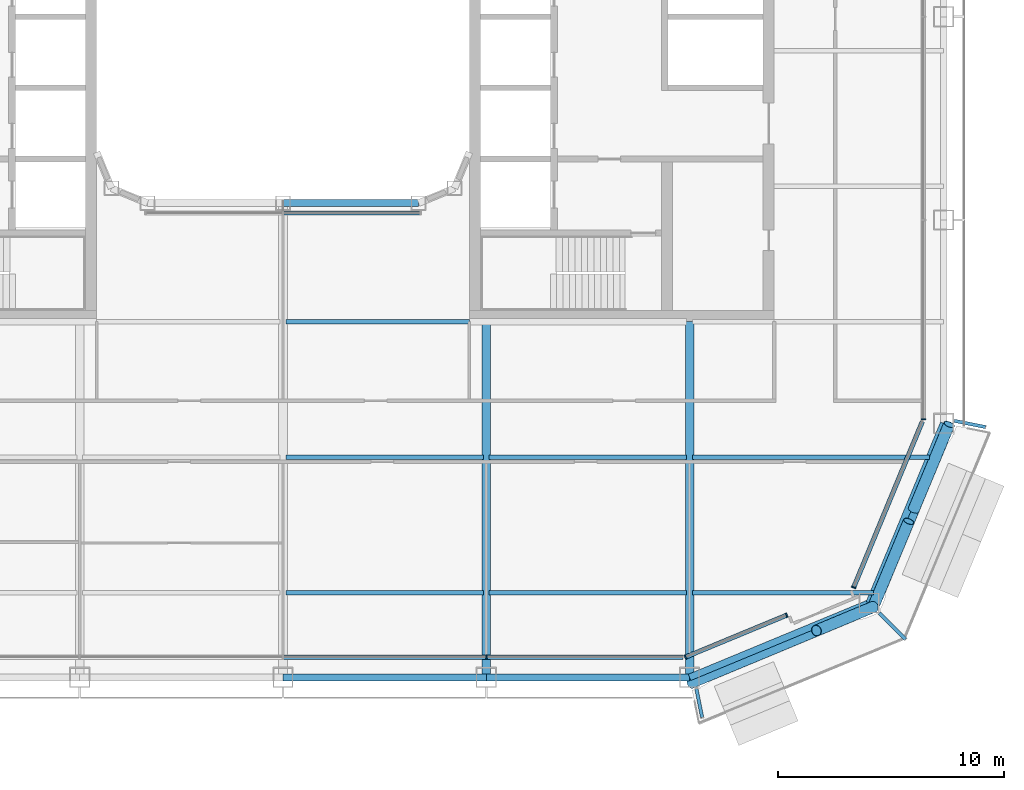
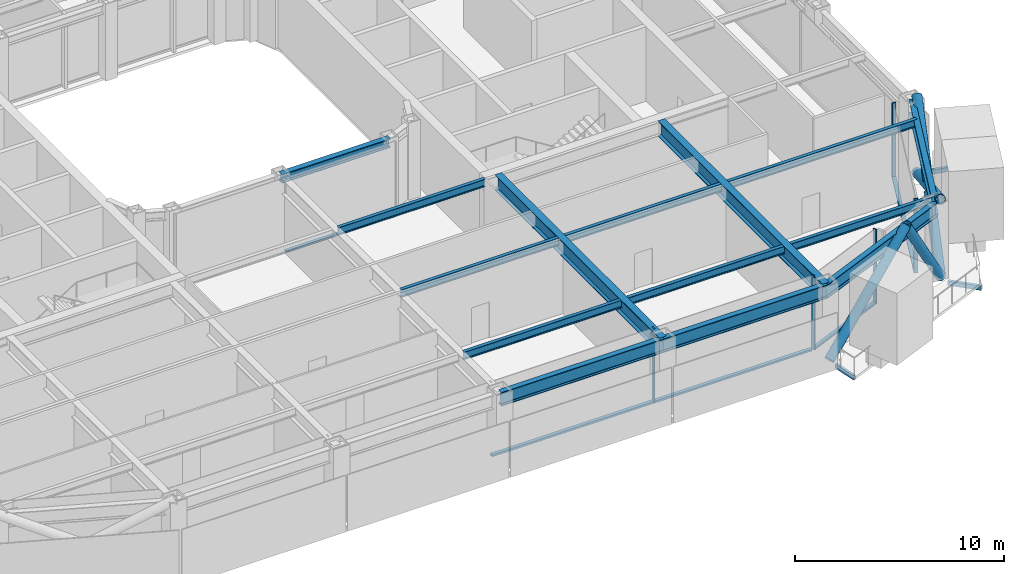
# One storey, part 4 of 23: 17 beams, 15 members, 5 elements without a shape of their own.
"""IFC4 building model written with IfcOpenShell, lengths in metres."""

from ifc_helpers import new_model, si_unit, direction, frame, origin, origin_2d, place, context, subcontext, project, spatial, rectangle, hollow_rectangle, hollow_circle, i_section, extrude, material, layer, layer_set, material_profile, profile_set, type_object, element, aggregate, save


model = new_model("IFC4")

# Units and contexts
model_context = context("Model", 3, precision=1e-05, world=origin(), true_north=direction((0.0, 1.0)))
body_context = subcontext(model_context, "Body", "Model", "MODEL_VIEW")
ifc_project = project(units=[si_unit("LENGTHUNIT", "METRE"), si_unit("AREAUNIT", "SQUARE_METRE"), si_unit("VOLUMEUNIT", "CUBIC_METRE"), si_unit("PLANEANGLEUNIT", "RADIAN"), si_unit("MASSUNIT", "GRAM", prefix="KILO")], contexts=[model_context])

# Site, building, storey
site_placement = place(None, origin())
site = spatial("IfcSite", under=ifc_project, at=site_placement, CompositionType="ELEMENT")
building_placement = place(site_placement, origin())
building = spatial("IfcBuilding", under=site, at=building_placement, Name="Siwar Civic Tower", CompositionType="ELEMENT")
storey_placement = place(building_placement, frame((0.0, 0.0, 145.199951171875)))
storey = spatial("IfcBuildingStorey", under=building, at=storey_placement, Name="L31", CompositionType="ELEMENT", Elevation=145.199951171875)

# Beams
ifc_material_1 = material(Name="Steel S355", Category="steel")
ifc_material_profile_1 = material_profile(ifc_material_1, hollow_rectangle(XDim=0.14990234375, YDim=0.25, WallThickness=0.010009765625, at=origin_2d()), Name="RHS250x150x10")
ifc_profile_set_1 = profile_set([ifc_material_profile_1], Name="Steel S355")
beam_type_1 = type_object("IfcBeamType", Name="ENV-BALCONY ARM", PredefinedType="BEAM", material=ifc_profile_set_1)
beam_1_placement = place(storey_placement, frame((18.30029296875, -29.73486328125, -0.27490234375), z_axis=(0.195189223115, -0.980765602568, 0.0), x_axis=(0.980765602568, 0.195189223115, 0.0)))
element("IfcBeam", 1, at=beam_1_placement, inside=storey, type_object=beam_type_1, Name="Balcony cantilever beam SE 1", PredefinedType="BEAM", context=body_context, shape_type="SweptSolid", body=[
    extrude(hollow_rectangle(XDim=0.14990234375, YDim=0.25, WallThickness=0.010009765625, at=origin_2d()), origin(), (0.0, 0.0, 1.0), 1.317138671875),
])
beam_2_placement = place(storey_placement, frame((26.39453125, -26.39453125, -0.27490234375), z_axis=(0.707106781187, -0.707106781187, 0.0), x_axis=(0.707106781187, 0.707106781187, 0.0)))
element("IfcBeam", 2, at=beam_2_placement, inside=storey, type_object=beam_type_1, Name="Balcony cantilever beam SE 2", PredefinedType="BEAM", context=body_context, shape_type="SweptSolid", body=[
    extrude(hollow_rectangle(XDim=0.14990234375, YDim=0.25, WallThickness=0.010009765625, at=origin_2d()), origin(), (0.0, 0.0, 1.0), 1.6513671875),
])
beam_3_placement = place(storey_placement, frame((29.72509765625, -17.890625, -0.27490234375), z_axis=(0.980780459814, -0.195114555191, 0.0), x_axis=(0.195114555191, 0.980780459814, 0.0)))
element("IfcBeam", 3, at=beam_3_placement, inside=storey, type_object=beam_type_1, Name="Balcony cantilever beam SE 3", PredefinedType="BEAM", context=body_context, shape_type="SweptSolid", body=[
    extrude(hollow_rectangle(XDim=0.14990234375, YDim=0.25, WallThickness=0.010009765625, at=origin_2d()), origin(), (0.0, 0.0, 1.0), 1.406494140625),
])

# Curtain wall, member
ifc_material_2 = material(Name="Aluminium and glass", Category="aluminium")
ifc_layer_1 = layer(ifc_material_2, 0.199951171875)
ifc_layer_set_1 = layer_set([ifc_layer_1], Name="Aluminium and glass")
curtain_wall_type_1 = type_object("IfcCurtainWallType", Name="ENV-CW-B", PredefinedType="NOTDEFINED", material=ifc_layer_set_1)
curtain_wall_1_placement = place(storey_placement, origin())
curtain_wall_1 = element("IfcCurtainWall", 4, at=curtain_wall_1_placement, inside=storey, type_object=curtain_wall_type_1, Name="Curtain wall B S", PredefinedType="NOTDEFINED")
ifc_material_3 = material(Name="Aluminium 6063-T6", Category="aluminium")
ifc_material_profile_2 = material_profile(ifc_material_3, rectangle(XDim=0.199951171875, YDim=0.06494140625, at=origin_2d()), Name="AL 200x65")
ifc_profile_set_2 = profile_set([ifc_material_profile_2], Name="Aluminium 6063-T6")
member_type_1 = type_object("IfcMemberType", Name="ENV-MULLION-B", PredefinedType="MULLION", material=ifc_profile_set_2)
member_1_placement = place(storey_placement, frame((9.0, -28.35009765625, 0.0), z_axis=(0.0, 0.0, 1.0), x_axis=(0.0, 1.0, 0.0)))
member_1 = element("IfcMember", 5, at=member_1_placement, type_object=member_type_1, Name="Mullion B S 4", PredefinedType="MULLION", context=body_context, shape_type="SweptSolid", body=[
    extrude(rectangle(XDim=0.199951171875, YDim=0.06494140625, at=origin_2d()), origin(), (0.0, 0.0, 1.0), 4.35009765625),
])

# Curtain wall, members
ifc_material_4 = material(Name="Aluminium clad insulated panel", Category="aluminium")
ifc_layer_2 = layer(ifc_material_4, 0.199951171875)
ifc_layer_set_2 = layer_set([ifc_layer_2], Name="Aluminium clad insulated panel")
curtain_wall_type_2 = type_object("IfcCurtainWallType", Name="ENV-CW-BX", PredefinedType="NOTDEFINED", material=ifc_layer_set_2)
curtain_wall_2_placement = place(storey_placement, origin())
curtain_wall_2 = element("IfcCurtainWall", 6, at=curtain_wall_2_placement, inside=storey, type_object=curtain_wall_type_2, Name="Curtain wall B SE1", PredefinedType="NOTDEFINED")
member_2_placement = place(storey_placement, frame((17.821044921875, -28.35009765625, 0.0), z_axis=(0.0, 0.0, 1.0), x_axis=(-0.382683432365, 0.923879532511, 0.0)))
member_2 = element("IfcMember", 7, at=member_2_placement, type_object=member_type_1, Name="Mullion B SE1 1", PredefinedType="MULLION", context=body_context, shape_type="SweptSolid", body=[
    extrude(rectangle(XDim=0.199951171875, YDim=0.06494140625, at=origin_2d()), origin(), (0.0, 0.0, 1.0), 4.35009765625),
])
member_3_placement = place(storey_placement, frame((22.299072265625, -26.4951171875, 0.0), z_axis=(0.0, 0.0, 1.0), x_axis=(-0.382683432365, 0.923879532511, 0.0)))
member_3 = element("IfcMember", 8, at=member_3_placement, type_object=member_type_1, Name="Mullion B SE1 2", PredefinedType="MULLION", context=body_context, shape_type="SweptSolid", body=[
    extrude(rectangle(XDim=0.199951171875, YDim=0.06494140625, at=origin_2d()), origin(), (0.0, 0.0, 1.0), 4.35009765625),
])

# Curtain wall, member
curtain_wall_3_placement = place(storey_placement, origin())
curtain_wall_3 = element("IfcCurtainWall", 9, at=curtain_wall_3_placement, inside=storey, type_object=curtain_wall_type_2, Name="Curtain wall B SE2", PredefinedType="NOTDEFINED")
member_4_placement = place(storey_placement, frame((25.26611328125, -25.26611328125, 0.0), z_axis=(0.0, 0.0, 1.0), x_axis=(-0.923879532511, 0.382683432365, 0.0)))
member_4 = element("IfcMember", 10, at=member_4_placement, type_object=member_type_1, Name="Mullion B SE2 1", PredefinedType="MULLION", context=body_context, shape_type="SweptSolid", body=[
    extrude(rectangle(XDim=0.199951171875, YDim=0.06494140625, at=origin_2d()), origin(), (0.0, 0.0, 1.0), 4.35009765625),
])

curtain_wall_4_placement = place(storey_placement, origin())
curtain_wall_4 = element("IfcCurtainWall", 11, at=curtain_wall_4_placement, inside=storey, type_object=curtain_wall_type_1, Name="Curtain wall B E", PredefinedType="NOTDEFINED")
member_5_placement = place(storey_placement, frame((28.35009765625, -17.821044921875, 0.0), z_axis=(0.0, 0.0, 1.0), x_axis=(-1.0, 0.0, 0.0)))
member_5 = element("IfcMember", 12, at=member_5_placement, type_object=member_type_1, Name="Mullion B E 1", PredefinedType="MULLION", context=body_context, shape_type="SweptSolid", body=[
    extrude(rectangle(XDim=0.199951171875, YDim=0.06494140625, at=origin_2d()), origin(), (0.0, 0.0, 1.0), 4.35009765625),
])
aggregate(curtain_wall_4, [member_5])

# Member
ifc_material_5 = material(Name="Aluminium 6063-T6", Category="aluminium")
ifc_material_profile_3 = material_profile(ifc_material_5, rectangle(XDim=0.199951171875, YDim=0.110107421875, at=origin_2d()), Name="AL 200x110")
ifc_profile_set_3 = profile_set([ifc_material_profile_3], Name="Aluminium 6063-T6")
member_type_2 = type_object("IfcMemberType", Name="ENV-TRANSOM-B", PredefinedType="USERDEFINED", material=ifc_profile_set_3)
member_6_placement = place(storey_placement, frame((0.032470703125, -28.35009765625, 0.054931640625), z_axis=(1.0, 0.0, 0.0), x_axis=(0.0, 1.0, 0.0)))
member_6 = element("IfcMember", 13, at=member_6_placement, type_object=member_type_2, Name="Transom B S 3", ObjectType="TRANSOM", PredefinedType="USERDEFINED", context=body_context, shape_type="SweptSolid", body=[
    extrude(rectangle(XDim=0.199951171875, YDim=0.110107421875, at=origin_2d()), origin(), (0.0, 0.0, 1.0), 8.93505859375),
])

member_7_placement = place(storey_placement, frame((9.032470703125, -28.35009765625, 0.054931640625), z_axis=(1.0, 0.0, 0.0), x_axis=(0.0, 1.0, 0.0)))
member_7 = element("IfcMember", 14, at=member_7_placement, type_object=member_type_2, Name="Transom B S 4", ObjectType="TRANSOM", PredefinedType="USERDEFINED", context=body_context, shape_type="SweptSolid", body=[
    extrude(rectangle(XDim=0.199951171875, YDim=0.110107421875, at=origin_2d()), origin(), (0.0, 0.0, 1.0), 8.6748046875),
])

aggregate(curtain_wall_1, [member_1, member_6, member_7])

member_8_placement = place(storey_placement, frame((17.85107421875, -28.337646484375, 0.054931640625), z_axis=(0.923872467912, 0.382700487371, 0.0), x_axis=(-0.382700487371, 0.923872467912, 0.0)))
member_8 = element("IfcMember", 15, at=member_8_placement, type_object=member_type_2, Name="Transom B SE1 1", ObjectType="TRANSOM", PredefinedType="USERDEFINED", context=body_context, shape_type="SweptSolid", body=[
    extrude(rectangle(XDim=0.199951171875, YDim=0.110107421875, at=origin_2d()), origin(), (0.0, 0.0, 1.0), 4.781982421875),
])

aggregate(curtain_wall_2, [member_2, member_3, member_8])

member_9_placement = place(storey_placement, frame((25.278564453125, -25.236083984375, 0.054931640625), z_axis=(0.382673358825, 0.923883705044, 0.0), x_axis=(-0.923883705044, 0.382673358825, 0.0)))
member_9 = element("IfcMember", 16, at=member_9_placement, type_object=member_type_2, Name="Transom B SE2 1", ObjectType="TRANSOM", PredefinedType="USERDEFINED", context=body_context, shape_type="SweptSolid", body=[
    extrude(rectangle(XDim=0.199951171875, YDim=0.110107421875, at=origin_2d()), origin(), (0.0, 0.0, 1.0), 7.912353515625),
])

aggregate(curtain_wall_3, [member_4, member_9])

# Curtain wall, member
ifc_material_6 = material(Name="Aluminium and glass", Category="aluminium")
ifc_layer_3 = layer(ifc_material_6, 0.179931640625)
ifc_layer_set_3 = layer_set([ifc_layer_3], Name="Aluminium and glass")
curtain_wall_type_3 = type_object("IfcCurtainWallType", Name="ENV-CW-W", PredefinedType="NOTDEFINED", material=ifc_layer_set_3)
curtain_wall_5_placement = place(storey_placement, origin())
curtain_wall_5 = element("IfcCurtainWall", 17, at=curtain_wall_5_placement, inside=storey, type_object=curtain_wall_type_3, Name="Curtain wall W WS", PredefinedType="NOTDEFINED")
ifc_material_7 = material(Name="Aluminium 6063-T6", Category="aluminium")
ifc_material_profile_4 = material_profile(ifc_material_7, rectangle(XDim=0.179931640625, YDim=0.10009765625, at=origin_2d()), Name="AL 180x100")
ifc_profile_set_4 = profile_set([ifc_material_profile_4], Name="Aluminium 6063-T6")
member_type_3 = type_object("IfcMemberType", Name="ENV-TRANSOM-W", PredefinedType="USERDEFINED", material=ifc_profile_set_4)
member_10_placement = place(storey_placement, frame((0.030029296875, -8.68505859375, 0.050048828125), z_axis=(1.0, 0.0, 0.0), x_axis=(0.0, 1.0, 0.0)))
member_10 = element("IfcMember", 18, at=member_10_placement, type_object=member_type_3, Name="Transom W WS 2", ObjectType="TRANSOM", PredefinedType="USERDEFINED", context=body_context, shape_type="SweptSolid", body=[
    extrude(rectangle(XDim=0.179931640625, YDim=0.10009765625, at=origin_2d()), origin(), (0.0, 0.0, 1.0), 6.026611328125),
])
aggregate(curtain_wall_5, [member_10])

# Members
ifc_material_8 = material(Name="Steel S355", Category="steel")
ifc_material_profile_5 = material_profile(ifc_material_8, hollow_circle(Radius=0.25390625, WallThickness=0.02490234375, at=origin_2d()), Name="CHS508x25")
ifc_profile_set_5 = profile_set([ifc_material_profile_5], Name="Steel S355")
member_type_4 = type_object("IfcMemberType", Name="STR-BR-CHS508x25", PredefinedType="BRACE", material=ifc_profile_set_5)
member_11_placement = place(storey_placement, frame((29.4951171875, -18.048828125, 0.0), z_axis=(-0.341671493852, -0.821142553604, 0.457149315816), x_axis=(0.923264922524, -0.384163874976, 0.0)))
element("IfcMember", 19, at=member_11_placement, inside=storey, type_object=member_type_4, Name="L31/brc/BSE1-10-0-1", PredefinedType="BRACE", context=body_context, shape_type="SweptSolid", body=[
    extrude(hollow_circle(Radius=0.25390625, WallThickness=0.02490234375, at=origin_2d()), origin(), (0.0, 0.0, 1.0), 9.843505859375),
])
member_12_placement = place(storey_placement, frame((26.1318359375, -26.1318359375, 0.0), z_axis=(0.341662474736, 0.821143275065, 0.457154760636), x_axis=(-0.923268638995, 0.384154943021, 0.0)))
element("IfcMember", 20, at=member_12_placement, inside=storey, type_object=member_type_4, Name="L31/brc/BSE1-10-0-2", PredefinedType="BRACE", context=body_context, shape_type="SweptSolid", body=[
    extrude(hollow_circle(Radius=0.25390625, WallThickness=0.02490234375, at=origin_2d()), origin(), (0.0, 0.0, 1.0), 4.61474609375),
])
member_13_placement = place(storey_placement, frame((27.91845703125, -21.837890625, 2.390625), z_axis=(0.34168558233, 0.821145902409, 0.457132770413), x_axis=(-0.923259859753, 0.384176042158, 0.0)))
element("IfcMember", 21, at=member_13_placement, inside=storey, type_object=member_type_4, Name="L31/brc/BSE1-10-0-3", PredefinedType="BRACE", context=body_context, shape_type="SweptSolid", body=[
    extrude(hollow_circle(Radius=0.25390625, WallThickness=0.02490234375, at=origin_2d()), origin(), (0.0, 0.0, 1.0), 4.6142578125),
])
member_14_placement = place(storey_placement, frame((18.048828125, -29.4951171875, 0.0), z_axis=(0.739973158344, 0.307903068035, 0.598026275029), x_axis=(-0.384169803352, 0.923262455747, 0.0)))
element("IfcMember", 22, at=member_14_placement, inside=storey, type_object=member_type_4, Name="L31/brc/BSE1-10-0-0", PredefinedType="BRACE", context=body_context, shape_type="SweptSolid", body=[
    extrude(hollow_circle(Radius=0.25390625, WallThickness=0.02490234375, at=origin_2d()), origin(), (0.0, 0.0, 1.0), 7.524658203125),
])
member_15_placement = place(storey_placement, frame((26.1318359375, -26.1318359375, 0.0), z_axis=(-0.478099094869, -0.198925611165, 0.855482236349), x_axis=(0.384150749045, -0.92327038402, 0.0)))
element("IfcMember", 23, at=member_15_placement, inside=storey, type_object=member_type_4, Name="L31/brc/BSE1-10-0-6", PredefinedType="BRACE", context=body_context, shape_type="SweptSolid", body=[
    extrude(hollow_circle(Radius=0.25390625, WallThickness=0.02490234375, at=origin_2d()), origin(), (0.0, 0.0, 1.0), 5.26025390625),
])

# Beams
ifc_material_9 = material(Name="Steel S355", Category="steel")
ifc_material_profile_6 = material_profile(ifc_material_9, i_section(OverallWidth=0.18994140625, OverallDepth=0.449951171875, WebThickness=0.009521484375, FlangeThickness=0.0146484375, FilletRadius=0.02099609375, at=origin_2d()), Name="IPE450")
ifc_profile_set_6 = profile_set([ifc_material_profile_6], Name="Steel S355")
beam_type_2 = type_object("IfcBeamType", Name="STR-FB-IPE450", PredefinedType="JOIST", material=ifc_profile_set_6)
for number, where, z_axis, x_axis, name in (
    (24, (0.1298828125, -25.5, 4.125), (1.0, 0.0, 0.0), (0.0, 1.0, 0.0), "L31/bm/F004"),
    (25, (9.1298828125, -25.5, 4.125), (1.0, 0.0, 0.0), (0.0, 1.0, 0.0), "L31/bm/F005"),
):
    element("IfcBeam", number, at=place(storey_placement, frame(where, z_axis=z_axis, x_axis=x_axis)), inside=storey, type_object=beam_type_2, Name=name, PredefinedType="JOIST", context=body_context, shape_type="SweptSolid", body=[
        extrude(i_section(OverallWidth=0.18994140625, OverallDepth=0.449951171875, WebThickness=0.009521484375, FlangeThickness=0.0146484375, FilletRadius=0.02099609375, at=origin_2d()), origin(), (0.0, 0.0, 1.0), 8.740234375),
    ])
beam_4_placement = place(storey_placement, frame((18.1298828125, -25.5, 4.125), z_axis=(1.0, 0.0, 0.0), x_axis=(0.0, 1.0, 0.0)))
element("IfcBeam", 26, at=beam_4_placement, inside=storey, type_object=beam_type_2, Name="L31/bm/F006", PredefinedType="JOIST", context=body_context, shape_type="SweptSolid", body=[
    extrude(i_section(OverallWidth=0.18994140625, OverallDepth=0.449951171875, WebThickness=0.009521484375, FlangeThickness=0.0146484375, FilletRadius=0.02099609375, at=origin_2d()), origin(), (0.0, 0.0, 1.0), 8.013427734375),
])
for number, where, z_axis, x_axis, name in (
    (27, (0.1298828125, -19.5, 4.125), (1.0, 0.0, 0.0), (0.0, 1.0, 0.0), "L31/bm/F010"),
    (28, (9.1298828125, -19.5, 4.125), (1.0, 0.0, 0.0), (0.0, 1.0, 0.0), "L31/bm/F011"),
):
    element("IfcBeam", number, at=place(storey_placement, frame(where, z_axis=z_axis, x_axis=x_axis)), inside=storey, type_object=beam_type_2, Name=name, PredefinedType="JOIST", context=body_context, shape_type="SweptSolid", body=[
        extrude(i_section(OverallWidth=0.18994140625, OverallDepth=0.449951171875, WebThickness=0.009521484375, FlangeThickness=0.0146484375, FilletRadius=0.02099609375, at=origin_2d()), origin(), (0.0, 0.0, 1.0), 8.740234375),
    ])
beam_5_placement = place(storey_placement, frame((18.1298828125, -19.5, 4.125), z_axis=(1.0, 0.0, 0.0), x_axis=(0.0, 1.0, 0.0)))
element("IfcBeam", 29, at=beam_5_placement, inside=storey, type_object=beam_type_2, Name="L31/bm/F012", PredefinedType="JOIST", context=body_context, shape_type="SweptSolid", body=[
    extrude(i_section(OverallWidth=0.18994140625, OverallDepth=0.449951171875, WebThickness=0.009521484375, FlangeThickness=0.0146484375, FilletRadius=0.02099609375, at=origin_2d()), origin(), (0.0, 0.0, 1.0), 10.498779296875),
])
beam_6_placement = place(storey_placement, frame((0.1298828125, -13.5, 4.125), z_axis=(1.0, 0.0, 0.0), x_axis=(0.0, 1.0, 0.0)))
element("IfcBeam", 30, at=beam_6_placement, inside=storey, type_object=beam_type_2, Name="L31/bm/F017", PredefinedType="JOIST", context=body_context, shape_type="SweptSolid", body=[
    extrude(i_section(OverallWidth=0.18994140625, OverallDepth=0.449951171875, WebThickness=0.009521484375, FlangeThickness=0.0146484375, FilletRadius=0.02099609375, at=origin_2d()), origin(), (0.0, 0.0, 1.0), 8.1201171875),
])
ifc_material_10 = material(Name="Steel S355", Category="steel")
ifc_material_profile_7 = material_profile(ifc_material_10, i_section(OverallWidth=0.3798828125, OverallDepth=0.89990234375, WebThickness=0.01611328125, FlangeThickness=0.035888671875, at=origin_2d()), Name="PG900x380x16x36")
ifc_profile_set_7 = profile_set([ifc_material_profile_7], Name="Steel S355")
beam_type_3 = type_object("IfcBeamType", Name="STR-PG-PG900x380x16x36", PredefinedType="BEAM", material=ifc_profile_set_7)
for number, where, z_axis, x_axis, name in (
    (31, (9.0, -29.25, 3.900146484375), (0.0, 1.0, 0.0), (-1.0, 0.0, 0.0), "L31/bm/G07"),
    (32, (18.0, -29.25, 3.900146484375), (0.0, 1.0, 0.0), (-1.0, 0.0, 0.0), "L31/bm/G09"),
):
    element("IfcBeam", number, at=place(storey_placement, frame(where, z_axis=z_axis, x_axis=x_axis)), inside=storey, type_object=beam_type_3, Name=name, PredefinedType="BEAM", context=body_context, shape_type="SweptSolid", body=[
        extrude(i_section(OverallWidth=0.3798828125, OverallDepth=0.89990234375, WebThickness=0.01611328125, FlangeThickness=0.035888671875, at=origin_2d()), origin(), (0.0, 0.0, 1.0), 15.75),
    ])
ifc_material_11 = material(Name="Steel S355", Category="steel")
ifc_material_profile_8 = material_profile(ifc_material_11, i_section(OverallWidth=0.305908203125, OverallDepth=0.52392578125, WebThickness=0.02099609375, FlangeThickness=0.0400390625, FilletRadius=0.027099609375, at=origin_2d()), Name="HEM500")
ifc_profile_set_8 = profile_set([ifc_material_profile_8], Name="Steel S355")
beam_type_4 = type_object("IfcBeamType", Name="STR-RB-HEM500", PredefinedType="BEAM", material=ifc_profile_set_8)
beam_7_placement = place(storey_placement, frame((0.0, -8.25, 4.088134765625), z_axis=(1.0, 0.0, 0.0), x_axis=(0.0, 1.0, 0.0)))
element("IfcBeam", 33, at=beam_7_placement, inside=storey, type_object=beam_type_4, Name="L31/bm/RS2", PredefinedType="BEAM", context=body_context, shape_type="SweptSolid", body=[
    extrude(i_section(OverallWidth=0.305908203125, OverallDepth=0.52392578125, WebThickness=0.02099609375, FlangeThickness=0.0400390625, FilletRadius=0.027099609375, at=origin_2d()), origin(), (0.0, 0.0, 1.0), 6.0),
])
ifc_material_12 = material(Name="Steel S355", Category="steel")
ifc_material_profile_9 = material_profile(ifc_material_12, i_section(OverallWidth=0.300048828125, OverallDepth=0.800048828125, WebThickness=0.017578125, FlangeThickness=0.032958984375, FilletRadius=0.030029296875, at=origin_2d()), Name="HEB800")
ifc_profile_set_9 = profile_set([ifc_material_profile_9], Name="Steel S355")
beam_type_5 = type_object("IfcBeamType", Name="STR-SB-HEB800", PredefinedType="BEAM", material=ifc_profile_set_9)
for number, where, z_axis, x_axis, name in (
    (34, (0.0, -29.25, 3.949951171875), (1.0, 0.0, 0.0), (0.0, 1.0, 0.0), "L31/bm/SS-2"),
    (35, (9.0, -29.25, 3.949951171875), (1.0, 0.0, 0.0), (0.0, 1.0, 0.0), "L31/bm/SS-3"),
):
    element("IfcBeam", number, at=place(storey_placement, frame(where, z_axis=z_axis, x_axis=x_axis)), inside=storey, type_object=beam_type_5, Name=name, PredefinedType="BEAM", context=body_context, shape_type="SweptSolid", body=[
        extrude(i_section(OverallWidth=0.300048828125, OverallDepth=0.800048828125, WebThickness=0.017578125, FlangeThickness=0.032958984375, FilletRadius=0.030029296875, at=origin_2d()), origin(), (0.0, 0.0, 1.0), 9.0),
    ])
for number, where, z_axis, x_axis, name in (
    (36, (18.0, -29.25, 3.949951171875), (0.923872720536, 0.382699877515, 0.0), (-0.382699877515, 0.923872720536, 0.0), "L31/bm/SSE1-0"),
    (37, (25.954833984375, -25.954833984375, 3.949951171875), (0.382699877515, 0.923872720536, 0.0), (-0.923872720536, 0.382699877515, 0.0), "L31/bm/SSE2-0"),
):
    element("IfcBeam", number, at=place(storey_placement, frame(where, z_axis=z_axis, x_axis=x_axis)), inside=storey, type_object=beam_type_5, Name=name, PredefinedType="BEAM", context=body_context, shape_type="SweptSolid", body=[
        extrude(i_section(OverallWidth=0.300048828125, OverallDepth=0.800048828125, WebThickness=0.017578125, FlangeThickness=0.032958984375, FilletRadius=0.030029296875, at=origin_2d()), origin(), (0.0, 0.0, 1.0), 8.6103515625),
    ])

save(model, "model.ifc")
